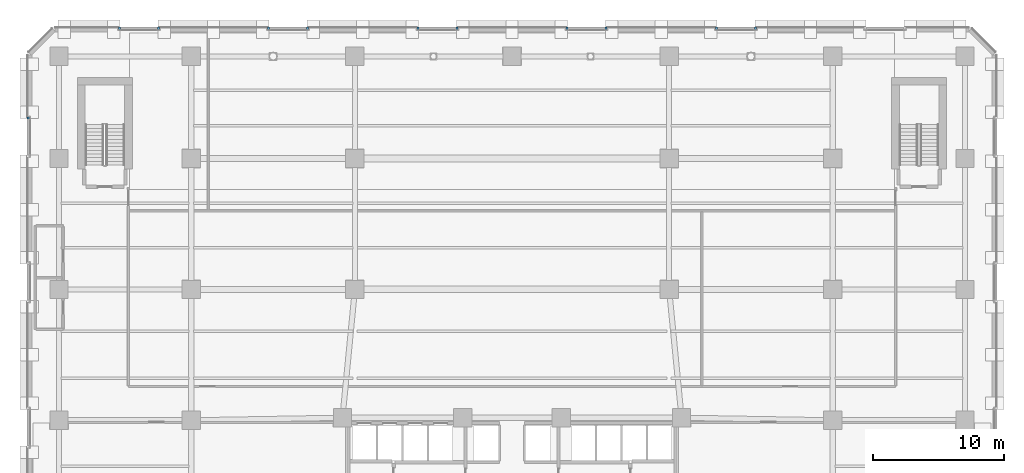
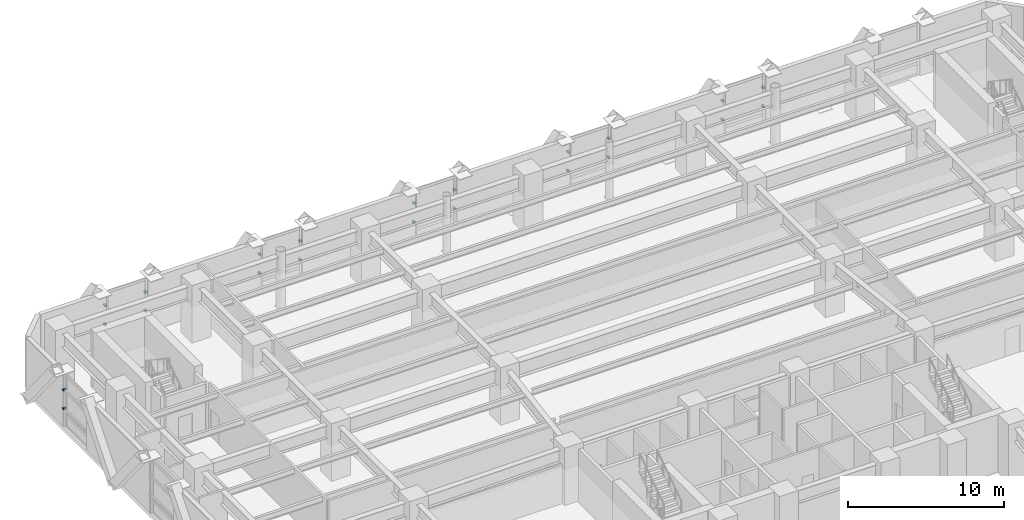
# One storey, part 18 of 26: 22 discrete accessories.
"""IFC4 building model written with IfcOpenShell, lengths in metres."""

from ifc_helpers import new_model, si_unit, direction, frame, origin, origin_2d, place, context, subcontext, project, spatial, rectangle, extrude, material, type_object, element, save


model = new_model("IFC4")

# Units and contexts
model_context = context("Model", 3, precision=1e-05, world=origin(), true_north=direction((0.0, 1.0)))
body_context = subcontext(model_context, "Body", "Model", "MODEL_VIEW")
ifc_project = project(units=[si_unit("LENGTHUNIT", "METRE"), si_unit("AREAUNIT", "SQUARE_METRE"), si_unit("VOLUMEUNIT", "CUBIC_METRE"), si_unit("PLANEANGLEUNIT", "RADIAN"), si_unit("MASSUNIT", "GRAM", prefix="KILO")], contexts=[model_context])

# Site, building, storey
site_placement = place(None, origin())
site = spatial("IfcSite", under=ifc_project, at=site_placement, CompositionType="ELEMENT")
building_placement = place(site_placement, origin())
building = spatial("IfcBuilding", under=site, at=building_placement, Name="Quenlor Broadcast Tower", CompositionType="ELEMENT")
storey_placement = place(building_placement, frame((0.0, 0.0, 18.5)))
storey = spatial("IfcBuildingStorey", under=building, at=storey_placement, Name="L04", CompositionType="ELEMENT", Elevation=18.5)

# Discrete accessories
ifc_material = material(Name="Aluminium 6063-T6", Category="aluminium")
discrete_accessory_type = type_object("IfcDiscreteAccessoryType", Name="Stainless Mullion Baguette Support Bracket", PredefinedType="BRACKET", material=ifc_material)
for number, where, z_axis, x_axis, name in (
    (1, (-29.993896484375, 24.93994140625, 1.39892578125), (0.0, 0.0, 1.0), (1.0, 0.0, 0.0), "L04 Baguette Mullion Bracket 1.1"),
    (2, (-27.006103515625, 24.93994140625, 1.39892578125), (0.0, 0.0, 1.0), (1.0, 0.0, 0.0), "L04 Baguette Mullion Bracket 1.2"),
    (3, (-29.993896484375, 24.93994140625, 2.86767578125), (0.0, 0.0, 1.0), (1.0, 0.0, 0.0), "L04 Baguette Mullion Bracket 2.1"),
    (4, (-27.006103515625, 24.93994140625, 2.86767578125), (0.0, 0.0, 1.0), (1.0, 0.0, 0.0), "L04 Baguette Mullion Bracket 2.2"),
    (5, (-18.593994140625, 24.93994140625, 1.39892578125), (0.0, 0.0, 1.0), (1.0, 0.0, 0.0), "L04 Baguette Mullion Bracket 1.1"),
    (6, (-15.606201171875, 24.93994140625, 1.39892578125), (0.0, 0.0, 1.0), (1.0, 0.0, 0.0), "L04 Baguette Mullion Bracket 1.2"),
    (7, (-18.593994140625, 24.93994140625, 2.86767578125), (0.0, 0.0, 1.0), (1.0, 0.0, 0.0), "L04 Baguette Mullion Bracket 2.1"),
    (8, (-15.606201171875, 24.93994140625, 2.86767578125), (0.0, 0.0, 1.0), (1.0, 0.0, 0.0), "L04 Baguette Mullion Bracket 2.2"),
    (9, (-7.19384765625, 24.93994140625, 1.39892578125), (0.0, 0.0, 1.0), (1.0, 0.0, 0.0), "L04 Baguette Mullion Bracket 1.1"),
    (10, (-4.2060546875, 24.93994140625, 1.39892578125), (0.0, 0.0, 1.0), (1.0, 0.0, 0.0), "L04 Baguette Mullion Bracket 1.2"),
    (11, (-7.19384765625, 24.93994140625, 2.86767578125), (0.0, 0.0, 1.0), (1.0, 0.0, 0.0), "L04 Baguette Mullion Bracket 2.1"),
    (12, (-4.2060546875, 24.93994140625, 2.86767578125), (0.0, 0.0, 1.0), (1.0, 0.0, 0.0), "L04 Baguette Mullion Bracket 2.2"),
    (13, (4.2060546875, 24.93994140625, 1.39892578125), (0.0, 0.0, 1.0), (1.0, 0.0, 0.0), "L04 Baguette Mullion Bracket 1.1"),
    (14, (7.19384765625, 24.93994140625, 1.39892578125), (0.0, 0.0, 1.0), (1.0, 0.0, 0.0), "L04 Baguette Mullion Bracket 1.2"),
    (15, (4.2060546875, 24.93994140625, 2.86767578125), (0.0, 0.0, 1.0), (1.0, 0.0, 0.0), "L04 Baguette Mullion Bracket 2.1"),
    (16, (7.19384765625, 24.93994140625, 2.86767578125), (0.0, 0.0, 1.0), (1.0, 0.0, 0.0), "L04 Baguette Mullion Bracket 2.2"),
    (17, (15.606201171875, 24.93994140625, 1.39892578125), (0.0, 0.0, 1.0), (1.0, 0.0, 0.0), "L04 Baguette Mullion Bracket 1.1"),
    (18, (18.593994140625, 24.93994140625, 1.39892578125), (0.0, 0.0, 1.0), (1.0, 0.0, 0.0), "L04 Baguette Mullion Bracket 1.2"),
    (19, (15.606201171875, 24.93994140625, 2.86767578125), (0.0, 0.0, 1.0), (1.0, 0.0, 0.0), "L04 Baguette Mullion Bracket 2.1"),
    (20, (18.593994140625, 24.93994140625, 2.86767578125), (0.0, 0.0, 1.0), (1.0, 0.0, 0.0), "L04 Baguette Mullion Bracket 2.2"),
    (21, (-36.93994140625, 18.093505859375, 1.39892578125), (0.0, 0.0, 1.0), (0.0, 1.0, 0.0), "L04 Baguette Mullion Bracket 1.2"),
    (22, (-36.93994140625, 18.093505859375, 2.86767578125), (0.0, 0.0, 1.0), (0.0, 1.0, 0.0), "L04 Baguette Mullion Bracket 2.2"),
):
    element("IfcDiscreteAccessory", number, at=place(storey_placement, frame(where, z_axis=z_axis, x_axis=x_axis)), inside=storey, type_object=discrete_accessory_type, Name=name, PredefinedType="BRACKET", context=body_context, shape_type="SweptSolid", body=[
        extrude(rectangle(XDim=0.159912109375, YDim=0.239990234375, at=origin_2d()), origin(), (0.0, 0.0, 1.0), 0.139892578125),
    ])

save(model, "model.ifc")
